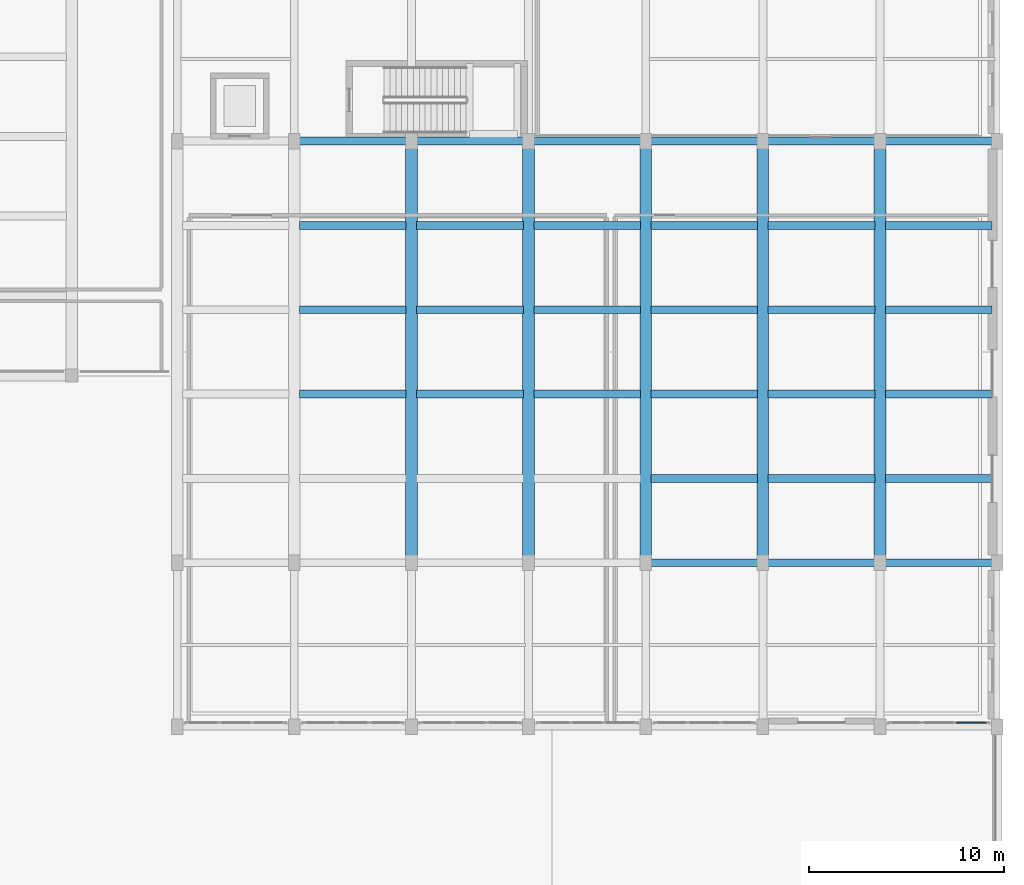
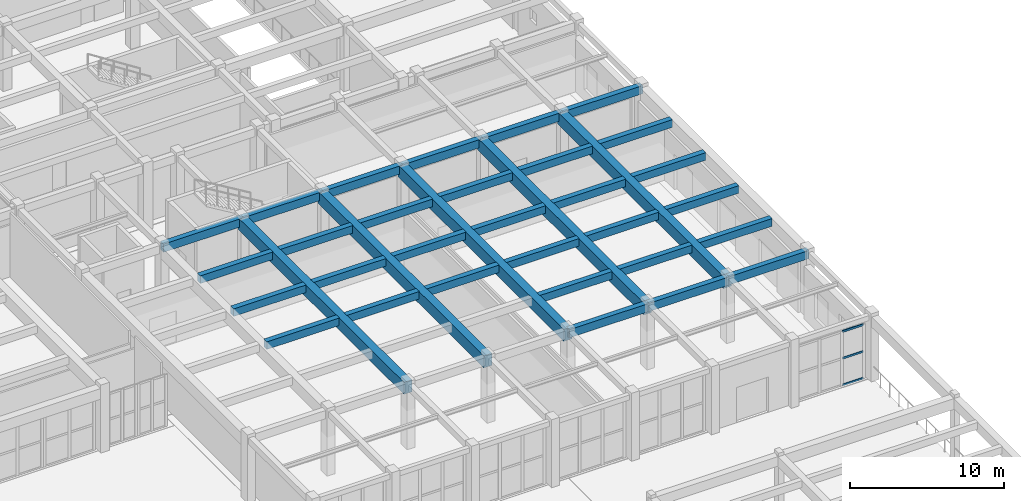
# One storey, part 51 of 98: 35 beams, 3 members, 1 element without a shape of its own.
"""IFC4 building model written with IfcOpenShell, lengths in metres."""

from ifc_helpers import new_model, si_unit, direction, frame, origin, origin_2d, place, context, subcontext, project, spatial, rectangle, hollow_rectangle, extrude, material, layer, layer_set, material_profile, profile_set, type_object, element, aggregate, save


model = new_model("IFC4")

# Units and contexts
model_context = context("Model", 3, precision=1e-05, world=origin(), true_north=direction((0.0, 1.0)))
body_context = subcontext(model_context, "Body", "Model", "MODEL_VIEW")
ifc_project = project(units=[si_unit("LENGTHUNIT", "METRE"), si_unit("AREAUNIT", "SQUARE_METRE"), si_unit("VOLUMEUNIT", "CUBIC_METRE"), si_unit("PLANEANGLEUNIT", "RADIAN"), si_unit("MASSUNIT", "GRAM", prefix="KILO")], contexts=[model_context])

# Site, building, storey
site_placement = place(None, origin())
site = spatial("IfcSite", under=ifc_project, at=site_placement, CompositionType="ELEMENT")
building_placement = place(site_placement, origin())
building = spatial("IfcBuilding", under=site, at=building_placement, Name="Tarnavel Promenade Courthouse", CompositionType="ELEMENT")
storey_placement = place(building_placement, origin())
storey = spatial("IfcBuildingStorey", under=building, at=storey_placement, Name="L01", CompositionType="ELEMENT", Elevation=0.0)

# Beams
ifc_material_1 = material(Name="Concrete C40/50", Category="concrete")
ifc_material_profile_1 = material_profile(ifc_material_1, rectangle(XDim=0.39990234375, YDim=0.60009765625, at=origin_2d()), Name="PT 400x600")
ifc_profile_set_1 = profile_set([ifc_material_profile_1], Name="Concrete C40/50")
beam_type_1 = type_object("IfcBeamType", Name="Concrete C40/50 BM-PT-400x600 (PT 400x600)", PredefinedType="JOIST", material=ifc_profile_set_1)
for number, where, z_axis, x_axis, name in (
    (1, (126.27001953125, 45.840087890625, 4.8349609375), (1.0, 0.0, 0.0), (0.0, 1.0, 0.0), "L01 Secondary Floor Rib 1023"),
    (2, (126.27001953125, 50.159912109375, 4.8349609375), (1.0, 0.0, 0.0), (0.0, 1.0, 0.0), "L01 Secondary Floor Rib 1024"),
    (3, (126.27001953125, 54.47998046875, 4.8349609375), (1.0, 0.0, 0.0), (0.0, 1.0, 0.0), "L01 Secondary Floor Rib 1025"),
    (4, (132.27001953125, 45.840087890625, 4.8349609375), (1.0, 0.0, 0.0), (0.0, 1.0, 0.0), "L01 Secondary Floor Rib 1027"),
    (5, (132.27001953125, 50.159912109375, 4.8349609375), (1.0, 0.0, 0.0), (0.0, 1.0, 0.0), "L01 Secondary Floor Rib 1028"),
    (6, (132.27001953125, 54.47998046875, 4.8349609375), (1.0, 0.0, 0.0), (0.0, 1.0, 0.0), "L01 Secondary Floor Rib 1029"),
    (7, (138.27001953125, 45.840087890625, 4.8349609375), (1.0, 0.0, 0.0), (0.0, 1.0, 0.0), "L01 Secondary Floor Rib 1031"),
    (8, (138.27001953125, 50.159912109375, 4.8349609375), (1.0, 0.0, 0.0), (0.0, 1.0, 0.0), "L01 Secondary Floor Rib 1032"),
    (9, (138.27001953125, 54.47998046875, 4.8349609375), (1.0, 0.0, 0.0), (0.0, 1.0, 0.0), "L01 Secondary Floor Rib 1033"),
    (10, (144.27001953125, 41.52001953125, 4.8349609375), (1.0, 0.0, 0.0), (0.0, 1.0, 0.0), "L01 Secondary Floor Rib 1034"),
    (11, (144.27001953125, 45.840087890625, 4.8349609375), (1.0, 0.0, 0.0), (0.0, 1.0, 0.0), "L01 Secondary Floor Rib 1035"),
    (12, (144.27001953125, 50.159912109375, 4.8349609375), (1.0, 0.0, 0.0), (0.0, 1.0, 0.0), "L01 Secondary Floor Rib 1036"),
    (13, (144.27001953125, 54.47998046875, 4.8349609375), (1.0, 0.0, 0.0), (0.0, 1.0, 0.0), "L01 Secondary Floor Rib 1037"),
    (14, (150.27001953125, 41.52001953125, 4.8349609375), (1.0, 0.0, 0.0), (0.0, 1.0, 0.0), "L01 Secondary Floor Rib 1038"),
    (15, (150.27001953125, 45.840087890625, 4.8349609375), (1.0, 0.0, 0.0), (0.0, 1.0, 0.0), "L01 Secondary Floor Rib 1039"),
    (16, (150.27001953125, 50.159912109375, 4.8349609375), (1.0, 0.0, 0.0), (0.0, 1.0, 0.0), "L01 Secondary Floor Rib 1040"),
    (17, (150.27001953125, 54.47998046875, 4.8349609375), (1.0, 0.0, 0.0), (0.0, 1.0, 0.0), "L01 Secondary Floor Rib 1041"),
    (18, (156.27001953125, 41.52001953125, 4.8349609375), (1.0, 0.0, 0.0), (0.0, 1.0, 0.0), "L01 Secondary Floor Rib 1042"),
    (19, (156.27001953125, 45.840087890625, 4.8349609375), (1.0, 0.0, 0.0), (0.0, 1.0, 0.0), "L01 Secondary Floor Rib 1043"),
    (20, (156.27001953125, 50.159912109375, 4.8349609375), (1.0, 0.0, 0.0), (0.0, 1.0, 0.0), "L01 Secondary Floor Rib 1044"),
    (21, (156.27001953125, 54.47998046875, 4.8349609375), (1.0, 0.0, 0.0), (0.0, 1.0, 0.0), "L01 Secondary Floor Rib 1045"),
):
    element("IfcBeam", number, at=place(storey_placement, frame(where, z_axis=z_axis, x_axis=x_axis)), inside=storey, type_object=beam_type_1, Name=name, PredefinedType="JOIST", context=body_context, shape_type="SweptSolid", body=[
        extrude(rectangle(XDim=0.39990234375, YDim=0.60009765625, at=origin_2d()), origin(), (0.0, 0.0, 1.0), 5.4599609375),
    ])
ifc_material_profile_2 = material_profile(ifc_material_1, rectangle(XDim=0.60009765625, YDim=0.949951171875, at=origin_2d()), Name="PT 600x950")
ifc_profile_set_2 = profile_set([ifc_material_profile_2], Name="Concrete C40/50")
beam_type_2 = type_object("IfcBeamType", Name="Concrete C40/50 BM-PT-600x950 (PT 600x950)", PredefinedType="T_BEAM", material=ifc_profile_set_2)
for number, where, z_axis, x_axis, name in (
    (22, (132.0, 37.199951171875, 4.659912109375), (0.0, 1.0, 0.0), (-1.0, 0.0, 0.0), "L01 Transverse Girder 0851"),
    (23, (138.0, 37.199951171875, 4.659912109375), (0.0, 1.0, 0.0), (-1.0, 0.0, 0.0), "L01 Transverse Girder 0854"),
    (24, (144.0, 37.199951171875, 4.659912109375), (0.0, 1.0, 0.0), (-1.0, 0.0, 0.0), "L01 Transverse Girder 0864"),
    (25, (150.0, 37.199951171875, 4.659912109375), (0.0, 1.0, 0.0), (-1.0, 0.0, 0.0), "L01 Transverse Girder 0874"),
    (26, (156.0, 37.199951171875, 4.659912109375), (0.0, 1.0, 0.0), (-1.0, 0.0, 0.0), "L01 Transverse Girder 0877"),
):
    element("IfcBeam", number, at=place(storey_placement, frame(where, z_axis=z_axis, x_axis=x_axis)), inside=storey, type_object=beam_type_2, Name=name, PredefinedType="T_BEAM", context=body_context, shape_type="SweptSolid", body=[
        extrude(rectangle(XDim=0.60009765625, YDim=0.949951171875, at=origin_2d()), origin(), (0.0, 0.0, 1.0), 21.60009765625),
    ])
ifc_material_profile_3 = material_profile(ifc_material_1, rectangle(XDim=0.39990234375, YDim=0.64990234375, at=origin_2d()), Name="RC 400x650")
ifc_profile_set_3 = profile_set([ifc_material_profile_3], Name="Concrete C40/50")
beam_type_3 = type_object("IfcBeamType", Name="Concrete C40/50 BM-RC-400x650 (RC 400x650)", PredefinedType="BEAM", material=ifc_profile_set_3)
for number, where, z_axis, x_axis, name in (
    (27, (144.0, 37.199951171875, 4.81005859375), (1.0, 0.0, 0.0), (0.0, 1.0, 0.0), "L01 Primary Longitudinal Beam 0613"),
    (28, (150.0, 37.199951171875, 4.81005859375), (1.0, 0.0, 0.0), (0.0, 1.0, 0.0), "L01 Primary Longitudinal Beam 0614"),
    (29, (156.0, 37.199951171875, 4.81005859375), (1.0, 0.0, 0.0), (0.0, 1.0, 0.0), "L01 Primary Longitudinal Beam 0615"),
    (30, (126.0, 58.800048828125, 4.81005859375), (1.0, 0.0, 0.0), (0.0, 1.0, 0.0), "L01 Primary Longitudinal Beam 0631"),
    (31, (132.0, 58.800048828125, 4.81005859375), (1.0, 0.0, 0.0), (0.0, 1.0, 0.0), "L01 Primary Longitudinal Beam 0632"),
    (32, (138.0, 58.800048828125, 4.81005859375), (1.0, 0.0, 0.0), (0.0, 1.0, 0.0), "L01 Primary Longitudinal Beam 0633"),
    (33, (144.0, 58.800048828125, 4.81005859375), (1.0, 0.0, 0.0), (0.0, 1.0, 0.0), "L01 Primary Longitudinal Beam 0634"),
    (34, (150.0, 58.800048828125, 4.81005859375), (1.0, 0.0, 0.0), (0.0, 1.0, 0.0), "L01 Primary Longitudinal Beam 0635"),
    (35, (156.0, 58.800048828125, 4.81005859375), (1.0, 0.0, 0.0), (0.0, 1.0, 0.0), "L01 Primary Longitudinal Beam 0636"),
):
    element("IfcBeam", number, at=place(storey_placement, frame(where, z_axis=z_axis, x_axis=x_axis)), inside=storey, type_object=beam_type_3, Name=name, PredefinedType="BEAM", context=body_context, shape_type="SweptSolid", body=[
        extrude(rectangle(XDim=0.39990234375, YDim=0.64990234375, at=origin_2d()), origin(), (0.0, 0.0, 1.0), 6.0),
    ])

# Curtain wall, members
ifc_material_2 = material(Name="Thermally Broken Anodised Aluminium Curtain Wall System", Category="aluminium")
ifc_layer = layer(ifc_material_2, 0.199951171875)
ifc_layer_set = layer_set([ifc_layer], Name="Thermally Broken Anodised Aluminium Curtain Wall System")
curtain_wall_type = type_object("IfcCurtainWallType", Name="Thermally Broken Aluminium Triple-Glazed Curtain Wall CW-FOYER", PredefinedType="NOTDEFINED", material=ifc_layer_set)
curtain_wall_placement = place(storey_placement, origin())
curtain_wall = element("IfcCurtainWall", 36, at=curtain_wall_placement, inside=storey, type_object=curtain_wall_type, Name="L01 Ceremonial Cloister Curtain Wall 163", PredefinedType="NOTDEFINED")
ifc_material_3 = material(Name="Thermally Broken Anodised Aluminium Frame", Category="aluminium")
ifc_material_profile_4 = material_profile(ifc_material_3, hollow_rectangle(XDim=0.080078125, YDim=0.159912109375, WallThickness=0.0048828125, InnerFilletRadius=0.0048828125, OuterFilletRadius=0.010009765625, at=origin_2d()), Name="CWT 160x80x5")
ifc_profile_set_4 = profile_set([ifc_material_profile_4], Name="Thermally Broken Anodised Aluminium Frame")
member_type = type_object("IfcMemberType", Name="Thermally Broken Anodised Aluminium CWT-145 (CWT 160x80x5)", PredefinedType="USERDEFINED", material=ifc_profile_set_4)
member_1_placement = place(storey_placement, frame((159.89501953125, 29.02001953125, 0.0400390625), z_axis=(1.0, 0.0, 0.0), x_axis=(0.0, 1.0, 0.0)))
member_1 = element("IfcMember", 37, at=member_1_placement, type_object=member_type, Name="CW-04 transom 3.1", ObjectType="TRANSOM", PredefinedType="USERDEFINED", context=body_context, shape_type="SweptSolid", body=[
    extrude(hollow_rectangle(XDim=0.080078125, YDim=0.159912109375, WallThickness=0.0048828125, InnerFilletRadius=0.0048828125, OuterFilletRadius=0.010009765625, at=origin_2d()), origin(), (0.0, 0.0, 1.0), 1.56494140625),
])
member_2_placement = place(storey_placement, frame((159.89501953125, 29.02001953125, 2.159912109375), z_axis=(1.0, 0.0, 0.0), x_axis=(0.0, 1.0, 0.0)))
member_2 = element("IfcMember", 38, at=member_2_placement, type_object=member_type, Name="CW-04 transom 3.2", ObjectType="TRANSOM", PredefinedType="USERDEFINED", context=body_context, shape_type="SweptSolid", body=[
    extrude(hollow_rectangle(XDim=0.080078125, YDim=0.159912109375, WallThickness=0.0048828125, InnerFilletRadius=0.0048828125, OuterFilletRadius=0.010009765625, at=origin_2d()), origin(), (0.0, 0.0, 1.0), 1.56494140625),
])
member_3_placement = place(storey_placement, frame((159.89501953125, 29.02001953125, 4.280029296875), z_axis=(1.0, 0.0, 0.0), x_axis=(0.0, 1.0, 0.0)))
member_3 = element("IfcMember", 39, at=member_3_placement, type_object=member_type, Name="CW-04 transom 3.3", ObjectType="TRANSOM", PredefinedType="USERDEFINED", context=body_context, shape_type="SweptSolid", body=[
    extrude(hollow_rectangle(XDim=0.080078125, YDim=0.159912109375, WallThickness=0.0048828125, InnerFilletRadius=0.0048828125, OuterFilletRadius=0.010009765625, at=origin_2d()), origin(), (0.0, 0.0, 1.0), 1.56494140625),
])
aggregate(curtain_wall, [member_1, member_2, member_3])

save(model, "model.ifc")
